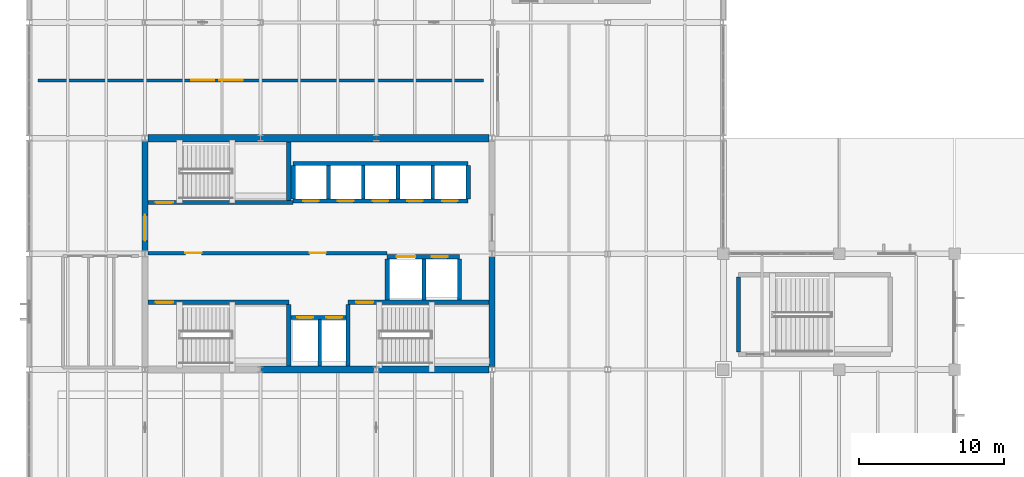
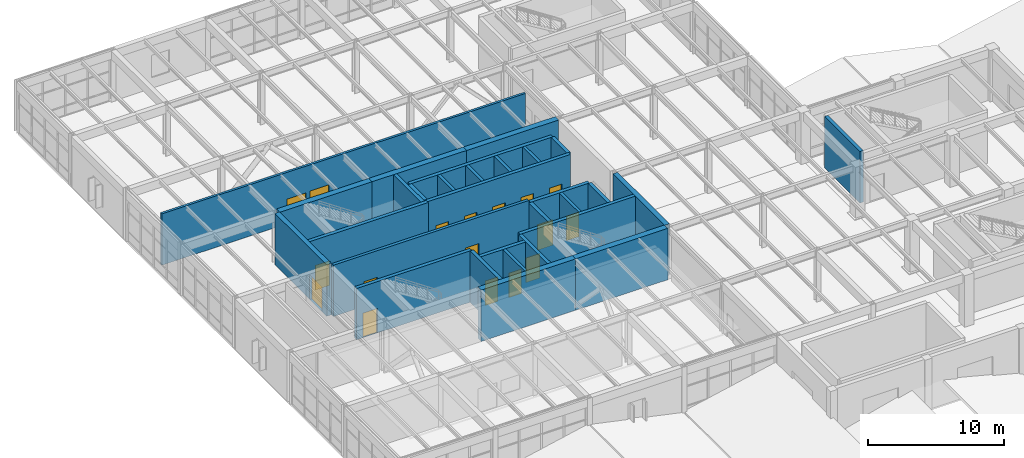
# One storey, part 43 of 60: 30 walls, 16 doors, 1 window, 17 openings.
"""IFC4 building model written with IfcOpenShell, lengths in metres."""

from ifc_helpers import new_model, si_unit, direction, frame, frame_2d, origin, place, context, subcontext, project, spatial, rectangle, extrude, material, layer, layer_set, type_object, element, fill, save


model = new_model("IFC4")

# Units and contexts
model_context = context("Model", 3, precision=1e-05, world=origin(), true_north=direction((0.0, 1.0)))
body_context = subcontext(model_context, "Body", "Model", "MODEL_VIEW")
ifc_project = project(units=[si_unit("LENGTHUNIT", "METRE"), si_unit("AREAUNIT", "SQUARE_METRE"), si_unit("VOLUMEUNIT", "CUBIC_METRE"), si_unit("PLANEANGLEUNIT", "RADIAN"), si_unit("MASSUNIT", "GRAM", prefix="KILO")], contexts=[model_context])

# Site, building, storey
site_placement = place(None, origin())
site = spatial("IfcSite", under=ifc_project, at=site_placement, CompositionType="ELEMENT")
building_placement = place(site_placement, origin())
building = spatial("IfcBuilding", under=site, at=building_placement, Name="Varnela Railside Interchange", CompositionType="ELEMENT")
storey_placement = place(building_placement, frame((0.0, 0.0, 6.300048828125)))
storey = spatial("IfcBuildingStorey", under=building, at=storey_placement, Name="L01", CompositionType="ELEMENT", Elevation=6.300048828125)

# Wall, opening, door
ifc_material_1 = material(Name="Concrete C50", Category="concrete")
ifc_layer_1 = layer(ifc_material_1, 0.39990234375)
ifc_layer_set_1 = layer_set([ifc_layer_1], Name="Concrete C50")
wall_type_1 = type_object("IfcWallType", Name="Core Coupling Shear Wall SW-02", PredefinedType="SHEAR", material=ifc_layer_set_1)
wall_1_placement = place(storey_placement, frame((12.0, 62.199462890625, 0.0), z_axis=(0.0, 0.0, 1.0), x_axis=(0.0, 1.0, 0.0)))
wall_1 = element("IfcWall", 1, at=wall_1_placement, inside=storey, type_object=wall_type_1, Name="Core Coupling Shear Wall SW-02 (L01) (WL-0511)", PredefinedType="SHEAR", context=body_context, shape_type="SweptSolid", body=[
    extrude(rectangle(XDim=7.60107421875, YDim=0.39990234375, at=frame_2d((3.800537109375, 0.0))), origin(), (0.0, 0.0, 1.0), 4.599853515625),
])
opening_1_placement = place(wall_1_placement, frame((0.699951171875, 0.0, 0.0)))
opening_1 = element("IfcOpeningElement", 2, at=opening_1_placement, cuts=wall_1, Name="Opening D-185", PredefinedType="OPENING", context=body_context, shape_type="SweptSolid", body=[
    extrude(rectangle(XDim=1.800048828125, YDim=2.199951171875, at=frame_2d((0.89990234375, 1.10009765625))), frame((0.0, 0.2099609375, 0.0), z_axis=(0.0, -1.0, 0.0), x_axis=(1.0, 0.0, 0.0)), (0.0, 0.0, 1.0), 0.419921875),
])
ifc_material_2 = material(Name="Steel AR 350 (350 MPa)", Category="steel")
door_type_1 = type_object("IfcDoorType", Name="DR-DBL-1800-FD60", OperationType="DOUBLE_DOOR_SINGLE_SWING", PredefinedType="DOOR", material=ifc_material_2)
door_1_placement = place(opening_1_placement, frame((1.800048828125, 0.0, 0.0), z_axis=(0.0, 0.0, 1.0), x_axis=(-1.0, 0.0, 0.0)))
door_1 = element("IfcDoor", 3, at=door_1_placement, inside=storey, type_object=door_type_1, Name="Door D-185", OperationType="DOUBLE_DOOR_SINGLE_SWING", OverallHeight=2.199951171875, OverallWidth=1.800048828125, PredefinedType="DOOR", context=body_context, shape_type="SweptSolid", body=[
    extrude(rectangle(XDim=1.800048828125, YDim=2.199951171875, at=frame_2d((0.89990234375, 1.10009765625))), frame((0.0, 0.02490234375, 0.0), z_axis=(0.0, -1.0, 0.0), x_axis=(1.0, 0.0, 0.0)), (0.0, 0.0, 1.0), 0.050048828125),
])
fill(opening_1, door_1)

# Walls
wall_2_placement = place(storey_placement, frame((36.0, 54.199462890625, 0.0), z_axis=(0.0, 0.0, 1.0), x_axis=(0.0, 1.0, 0.0)))
element("IfcWall", 4, at=wall_2_placement, inside=storey, type_object=wall_type_1, Name="Core Coupling Shear Wall SW-02 (L01) (WL-0481)", PredefinedType="SHEAR", context=body_context, shape_type="SweptSolid", body=[
    extrude(rectangle(XDim=7.60107421875, YDim=0.39990234375, at=frame_2d((3.800537109375, 0.0))), origin(), (0.0, 0.0, 1.0), 4.599853515625),
])
ifc_layer_2 = layer(ifc_material_1, 0.5)
ifc_layer_set_2 = layer_set([ifc_layer_2], Name="Concrete C50")
wall_type_2 = type_object("IfcWallType", Name="Core Primary Shear Wall SW-01", PredefinedType="SHEAR", material=ifc_layer_set_2)
wall_3_placement = place(storey_placement, frame((20.0, 54.0, 0.0), z_axis=(0.0, 0.0, 1.0), x_axis=(1.0, 0.0, 0.0)))
element("IfcWall", 5, at=wall_3_placement, inside=storey, type_object=wall_type_2, Name="Core Primary Shear Wall SW-01 (L01) (WL-0502)", PredefinedType="SHEAR", context=body_context, shape_type="SweptSolid", body=[
    extrude(rectangle(XDim=8.0, YDim=0.5, at=frame_2d((4.0, 0.0))), origin(), (0.0, 0.0, 1.0), 4.599853515625),
])
for number, where, z_axis, x_axis, name in (
    (6, (28.0, 54.0, 0.0), (0.0, 0.0, 1.0), (1.0, 0.0, 0.0), "Core Primary Shear Wall SW-01 (L01) (WL-0503)"),
    (7, (12.200439453125, 70.0, 0.0), (0.0, 0.0, 1.0), (1.0, 0.0, 0.0), "Core Primary Shear Wall SW-01 (L01) (WL-0498)"),
):
    element("IfcWall", number, at=place(storey_placement, frame(where, z_axis=z_axis, x_axis=x_axis)), inside=storey, type_object=wall_type_2, Name=name, PredefinedType="SHEAR", context=body_context, shape_type="SweptSolid", body=[
        extrude(rectangle(XDim=7.799560546875, YDim=0.5, at=frame_2d((3.89990234375, 0.0))), origin(), (0.0, 0.0, 1.0), 4.599853515625),
    ])
wall_4_placement = place(storey_placement, frame((20.0, 70.0, 0.0), z_axis=(0.0, 0.0, 1.0), x_axis=(1.0, 0.0, 0.0)))
element("IfcWall", 8, at=wall_4_placement, inside=storey, type_object=wall_type_2, Name="Core Primary Shear Wall SW-01 (L01) (WL-0499)", PredefinedType="SHEAR", context=body_context, shape_type="SweptSolid", body=[
    extrude(rectangle(XDim=8.0, YDim=0.5, at=frame_2d((4.0, 0.0))), origin(), (0.0, 0.0, 1.0), 4.599853515625),
])
wall_5_placement = place(storey_placement, frame((28.0, 70.0, 0.0), z_axis=(0.0, 0.0, 1.0), x_axis=(1.0, 0.0, 0.0)))
element("IfcWall", 9, at=wall_5_placement, inside=storey, type_object=wall_type_2, Name="Core Primary Shear Wall SW-01 (L01) (WL-0500)", PredefinedType="SHEAR", context=body_context, shape_type="SweptSolid", body=[
    extrude(rectangle(XDim=7.799560546875, YDim=0.5, at=frame_2d((3.89990234375, 0.0))), origin(), (0.0, 0.0, 1.0), 4.599853515625),
])

# Wall, openings, door, window
ifc_material_3 = material(Name="Gypsum acoustic board")
ifc_layer_3 = layer(ifc_material_3, 0.179931640625)
ifc_layer_set_3 = layer_set([ifc_layer_3], Name="Gypsum acoustic board")
wall_type_3 = type_object("IfcWallType", Name="Double-Stud Corridor Wall IW-02", PredefinedType="PARTITIONING", material=ifc_layer_set_3)
wall_6_placement = place(storey_placement, frame((4.60009765625, 74.0, 0.0), z_axis=(0.0, 0.0, 1.0), x_axis=(1.0, 0.0, 0.0)))
wall_6 = element("IfcWall", 10, at=wall_6_placement, inside=storey, type_object=wall_type_3, Name="Double-Stud Corridor Wall IW-02 (L01) (WL-0563)", PredefinedType="PARTITIONING", context=body_context, shape_type="SweptSolid", body=[
    extrude(rectangle(XDim=30.7998046875, YDim=0.199951171875, at=frame_2d((15.39990234375, 0.0))), origin(), (0.0, 0.0, 1.0), 4.599853515625),
])
opening_2_placement = place(wall_6_placement, frame((10.60009765625, 0.0, 0.0)))
opening_2 = element("IfcOpeningElement", 11, at=opening_2_placement, cuts=wall_6, Name="Opening D-206", PredefinedType="OPENING", context=body_context, shape_type="SweptSolid", body=[
    extrude(rectangle(XDim=1.60009765625, YDim=2.199951171875, at=frame_2d((0.800048828125, 1.10009765625))), frame((0.0, 0.10986328125, 0.0), z_axis=(0.0, -1.0, 0.0), x_axis=(1.0, 0.0, 0.0)), (0.0, 0.0, 1.0), 0.219970703125),
])
opening_3_placement = place(wall_6_placement, frame((12.550048828125, 0.0, 0.949951171875)))
opening_3 = element("IfcOpeningElement", 12, at=opening_3_placement, cuts=wall_6, Name="Opening IW-009", PredefinedType="OPENING", context=body_context, shape_type="SweptSolid", body=[
    extrude(rectangle(XDim=1.60009765625, YDim=1.300048828125, at=frame_2d((0.800048828125, 0.64990234375))), frame((0.0, 0.10986328125, 0.0), z_axis=(0.0, -1.0, 0.0), x_axis=(1.0, 0.0, 0.0)), (0.0, 0.0, 1.0), 0.219970703125),
])
ifc_material_4 = material(Name="Glass laminated double", Category="glass")
door_type_2 = type_object("IfcDoorType", Name="DR-DBL-1600", OperationType="DOUBLE_DOOR_SINGLE_SWING", PredefinedType="DOOR", material=ifc_material_4)
door_2_placement = place(opening_2_placement, origin())
door_2 = element("IfcDoor", 13, at=door_2_placement, inside=storey, type_object=door_type_2, Name="Door D-206", OperationType="DOUBLE_DOOR_SINGLE_SWING", OverallHeight=2.199951171875, OverallWidth=1.60009765625, PredefinedType="DOOR", context=body_context, shape_type="SweptSolid", body=[
    extrude(rectangle(XDim=1.60009765625, YDim=2.199951171875, at=frame_2d((0.800048828125, 1.10009765625))), frame((0.0, 0.02490234375, 0.0), z_axis=(0.0, -1.0, 0.0), x_axis=(1.0, 0.0, 0.0)), (0.0, 0.0, 1.0), 0.050048828125),
])
fill(opening_2, door_2)
window_type = type_object("IfcWindowType", Name="Interior Acoustic Vision Window IW-WN1", PartitioningType="SINGLE_PANEL", PredefinedType="WINDOW", material=ifc_material_4)
window_placement = place(opening_3_placement, origin())
window = element("IfcWindow", 14, at=window_placement, inside=storey, type_object=window_type, Name="Window IW-009", OverallHeight=1.300048828125, OverallWidth=1.60009765625, PartitioningType="SINGLE_PANEL", PredefinedType="WINDOW", context=body_context, shape_type="SweptSolid", body=[
    extrude(rectangle(XDim=1.60009765625, YDim=1.300048828125, at=frame_2d((0.800048828125, 0.64990234375))), frame((0.0, 0.030029296875, 0.0), z_axis=(0.0, -1.0, 0.0), x_axis=(1.0, 0.0, 0.0)), (0.0, 0.0, 1.0), 0.06005859375),
])
fill(opening_3, window)

# Wall, opening, door
ifc_layer_4 = layer(ifc_material_1, 0.300048828125)
ifc_layer_set_4 = layer_set([ifc_layer_4], Name="Concrete C50")
wall_type_4 = type_object("IfcWallType", Name="Stair & Lift Shaft Wall SW-03", PredefinedType="SHEAR", material=ifc_layer_set_4)
wall_7_placement = place(storey_placement, frame((12.199951171875, 58.64990234375, 0.0), z_axis=(0.0, 0.0, 1.0), x_axis=(1.0, 0.0, 0.0)))
wall_7 = element("IfcWall", 15, at=wall_7_placement, inside=storey, type_object=wall_type_4, Name="Stair & Lift Shaft Wall SW-03 (L01) (WL-0505)", PredefinedType="SHEAR", context=body_context, shape_type="SweptSolid", body=[
    extrude(rectangle(XDim=9.75, YDim=0.300048828125, at=frame_2d((4.875, 0.0))), origin(), (0.0, 0.0, 1.0), 4.599853515625),
])
opening_4_placement = place(wall_7_placement, frame((0.550048828125, 0.0, 0.0)))
opening_4 = element("IfcOpeningElement", 16, at=opening_4_placement, cuts=wall_7, Name="Opening D-180", PredefinedType="OPENING", context=body_context, shape_type="SweptSolid", body=[
    extrude(rectangle(XDim=1.199951171875, YDim=2.199951171875, at=frame_2d((0.60009765625, 1.10009765625))), frame((0.0, 0.159912109375, 0.0), z_axis=(0.0, -1.0, 0.0), x_axis=(1.0, 0.0, 0.0)), (0.0, 0.0, 1.0), 0.320068359375),
])
door_type_3 = type_object("IfcDoorType", Name="DR-SGL-1200-FD90", OperationType="NOTDEFINED", PredefinedType="DOOR", material=ifc_material_2)
door_3_placement = place(opening_4_placement, frame((1.199951171875, 0.0, 0.0), z_axis=(0.0, 0.0, 1.0), x_axis=(-1.0, 0.0, 0.0)))
door_3 = element("IfcDoor", 17, at=door_3_placement, inside=storey, type_object=door_type_3, Name="Door D-180", OperationType="SINGLE_SWING_RIGHT", OverallHeight=2.199951171875, OverallWidth=1.199951171875, PredefinedType="DOOR", context=body_context, shape_type="SweptSolid", body=[
    extrude(rectangle(XDim=1.199951171875, YDim=2.199951171875, at=frame_2d((0.60009765625, 1.10009765625))), frame((0.0, 0.02490234375, 0.0), z_axis=(0.0, -1.0, 0.0), x_axis=(1.0, 0.0, 0.0)), (0.0, 0.0, 1.0), 0.050048828125),
])
fill(opening_4, door_3)

# Wall
wall_8_placement = place(storey_placement, frame((21.949951171875, 54.25, 0.0), z_axis=(0.0, 0.0, 1.0), x_axis=(0.0, 1.0, 0.0)))
element("IfcWall", 18, at=wall_8_placement, inside=storey, type_object=wall_type_4, Name="Stair & Lift Shaft Wall SW-03 (L01) (WL-0504)", PredefinedType="SHEAR", context=body_context, shape_type="SweptSolid", body=[
    extrude(rectangle(XDim=4.25, YDim=0.300048828125, at=frame_2d((2.125, 0.0))), origin(), (0.0, 0.0, 1.0), 4.599853515625),
])

# Wall, opening, door
wall_9_placement = place(storey_placement, frame((26.050048828125, 58.64990234375, 0.0), z_axis=(0.0, 0.0, 1.0), x_axis=(1.0, 0.0, 0.0)))
wall_9 = element("IfcWall", 19, at=wall_9_placement, inside=storey, type_object=wall_type_4, Name="Stair & Lift Shaft Wall SW-03 (L01) (WL-0506)", PredefinedType="SHEAR", context=body_context, shape_type="SweptSolid", body=[
    extrude(rectangle(XDim=9.75, YDim=0.300048828125, at=frame_2d((4.875, 0.0))), origin(), (0.0, 0.0, 1.0), 4.599853515625),
])
opening_5_placement = place(wall_9_placement, frame((0.550048828125, 0.0, 0.0)))
opening_5 = element("IfcOpeningElement", 20, at=opening_5_placement, cuts=wall_9, Name="Opening D-181", PredefinedType="OPENING", context=body_context, shape_type="SweptSolid", body=[
    extrude(rectangle(XDim=1.199951171875, YDim=2.199951171875, at=frame_2d((0.60009765625, 1.10009765625))), frame((0.0, 0.159912109375, 0.0), z_axis=(0.0, -1.0, 0.0), x_axis=(1.0, 0.0, 0.0)), (0.0, 0.0, 1.0), 0.320068359375),
])
door_4_placement = place(opening_5_placement, frame((1.199951171875, 0.0, 0.0), z_axis=(0.0, 0.0, 1.0), x_axis=(-1.0, 0.0, 0.0)))
door_4 = element("IfcDoor", 21, at=door_4_placement, inside=storey, type_object=door_type_3, Name="Door D-181", OperationType="SINGLE_SWING_LEFT", OverallHeight=2.199951171875, OverallWidth=1.199951171875, PredefinedType="DOOR", context=body_context, shape_type="SweptSolid", body=[
    extrude(rectangle(XDim=1.199951171875, YDim=2.199951171875, at=frame_2d((0.60009765625, 1.10009765625))), frame((0.0, 0.02490234375, 0.0), z_axis=(0.0, -1.0, 0.0), x_axis=(1.0, 0.0, 0.0)), (0.0, 0.0, 1.0), 0.050048828125),
])
fill(opening_5, door_4)

# Wall
wall_10_placement = place(storey_placement, frame((26.050048828125, 54.25, 0.0), z_axis=(0.0, 0.0, 1.0), x_axis=(0.0, 1.0, 0.0)))
element("IfcWall", 22, at=wall_10_placement, inside=storey, type_object=wall_type_4, Name="Stair & Lift Shaft Wall SW-03 (L01) (WL-0507)", PredefinedType="SHEAR", context=body_context, shape_type="SweptSolid", body=[
    extrude(rectangle(XDim=4.25, YDim=0.300048828125, at=frame_2d((2.125, 0.0))), origin(), (0.0, 0.0, 1.0), 4.599853515625),
])

# Wall, openings, doors
wall_11_placement = place(storey_placement, frame((22.10009765625, 57.60009765625, 0.0), z_axis=(0.0, 0.0, 1.0), x_axis=(1.0, 0.0, 0.0)))
wall_11 = element("IfcWall", 23, at=wall_11_placement, inside=storey, type_object=wall_type_4, Name="Stair & Lift Shaft Wall SW-03 (L01) (WL-0485)", PredefinedType="SHEAR", context=body_context, shape_type="SweptSolid", body=[
    extrude(rectangle(XDim=3.949951171875, YDim=0.300048828125, at=frame_2d((1.97509765625, 0.0))), origin(), (0.0, 0.0, 1.0), 4.599853515625),
])
opening_6_placement = place(wall_11_placement, frame((0.449951171875, 0.0, 0.0)))
opening_6 = element("IfcOpeningElement", 24, at=opening_6_placement, cuts=wall_11, Name="Opening LD-031", PredefinedType="OPENING", context=body_context, shape_type="SweptSolid", body=[
    extrude(rectangle(XDim=1.080078125, YDim=2.199951171875, at=frame_2d((0.5400390625, 1.10009765625))), frame((0.0, 0.159912109375, 0.0), z_axis=(0.0, -1.0, 0.0), x_axis=(1.0, 0.0, 0.0)), (0.0, 0.0, 1.0), 0.320068359375),
])
opening_7_placement = place(wall_11_placement, frame((2.449951171875, 0.0, 0.0)))
opening_7 = element("IfcOpeningElement", 25, at=opening_7_placement, cuts=wall_11, Name="Opening LD-032", PredefinedType="OPENING", context=body_context, shape_type="SweptSolid", body=[
    extrude(rectangle(XDim=1.080078125, YDim=2.199951171875, at=frame_2d((0.5400390625, 1.10009765625))), frame((0.0, 0.159912109375, 0.0), z_axis=(0.0, -1.0, 0.0), x_axis=(1.0, 0.0, 0.0)), (0.0, 0.0, 1.0), 0.320068359375),
])
door_type_4 = type_object("IfcDoorType", Name="DR-LIFT-1080", OperationType="SLIDING_TO_LEFT", PredefinedType="DOOR", material=ifc_material_2)
door_5_placement = place(opening_6_placement, origin())
door_5 = element("IfcDoor", 26, at=door_5_placement, inside=storey, type_object=door_type_4, Name="Door LD-031", OperationType="SLIDING_TO_LEFT", OverallHeight=2.199951171875, OverallWidth=1.080078125, PredefinedType="DOOR", context=body_context, shape_type="SweptSolid", body=[
    extrude(rectangle(XDim=1.080078125, YDim=2.199951171875, at=frame_2d((0.5400390625, 1.10009765625))), frame((0.0, 0.02490234375, 0.0), z_axis=(0.0, -1.0, 0.0), x_axis=(1.0, 0.0, 0.0)), (0.0, 0.0, 1.0), 0.050048828125),
])
fill(opening_6, door_5)
door_6_placement = place(opening_7_placement, origin())
door_6 = element("IfcDoor", 27, at=door_6_placement, inside=storey, type_object=door_type_4, Name="Door LD-032", OperationType="SLIDING_TO_LEFT", OverallHeight=2.199951171875, OverallWidth=1.080078125, PredefinedType="DOOR", context=body_context, shape_type="SweptSolid", body=[
    extrude(rectangle(XDim=1.080078125, YDim=2.199951171875, at=frame_2d((0.5400390625, 1.10009765625))), frame((0.0, 0.02490234375, 0.0), z_axis=(0.0, -1.0, 0.0), x_axis=(1.0, 0.0, 0.0)), (0.0, 0.0, 1.0), 0.050048828125),
])
fill(opening_7, door_6)

# Wall
wall_12_placement = place(storey_placement, frame((24.10009765625, 54.25, 0.0), z_axis=(0.0, 0.0, 1.0), x_axis=(0.0, 1.0, 0.0)))
element("IfcWall", 28, at=wall_12_placement, inside=storey, type_object=wall_type_4, Name="Stair & Lift Shaft Wall SW-03 (L01) (WL-0484)", PredefinedType="SHEAR", context=body_context, shape_type="SweptSolid", body=[
    extrude(rectangle(XDim=3.199951171875, YDim=0.25, at=frame_2d((1.60009765625, 0.0))), origin(), (0.0, 0.0, 1.0), 4.599853515625),
])

# Wall, openings, doors
wall_13_placement = place(storey_placement, frame((28.75, 61.800048828125, 0.0), z_axis=(0.0, 0.0, 1.0), x_axis=(1.0, 0.0, 0.0)))
wall_13 = element("IfcWall", 29, at=wall_13_placement, inside=storey, type_object=wall_type_4, Name="Stair & Lift Shaft Wall SW-03 (L01) (WL-0488)", PredefinedType="SHEAR", context=body_context, shape_type="SweptSolid", body=[
    extrude(rectangle(XDim=5.0, YDim=0.300048828125, at=frame_2d((2.5, 0.0))), origin(), (0.0, 0.0, 1.0), 4.599853515625),
])
opening_8_placement = place(wall_13_placement, frame((0.64990234375, 0.0, 0.0)))
opening_8 = element("IfcOpeningElement", 30, at=opening_8_placement, cuts=wall_13, Name="Opening LD-033", PredefinedType="OPENING", context=body_context, shape_type="SweptSolid", body=[
    extrude(rectangle(XDim=1.300048828125, YDim=2.300048828125, at=frame_2d((0.64990234375, 1.14990234375))), frame((0.0, 0.159912109375, 0.0), z_axis=(0.0, -1.0, 0.0), x_axis=(1.0, 0.0, 0.0)), (0.0, 0.0, 1.0), 0.320068359375),
])
opening_9_placement = place(wall_13_placement, frame((3.10009765625, 0.0, 0.0)))
opening_9 = element("IfcOpeningElement", 31, at=opening_9_placement, cuts=wall_13, Name="Opening LD-034", PredefinedType="OPENING", context=body_context, shape_type="SweptSolid", body=[
    extrude(rectangle(XDim=1.080078125, YDim=2.199951171875, at=frame_2d((0.5400390625, 1.10009765625))), frame((0.0, 0.159912109375, 0.0), z_axis=(0.0, -1.0, 0.0), x_axis=(1.0, 0.0, 0.0)), (0.0, 0.0, 1.0), 0.320068359375),
])
door_7_placement = place(opening_9_placement, origin())
door_7 = element("IfcDoor", 32, at=door_7_placement, inside=storey, type_object=door_type_4, Name="Door LD-034", OperationType="SLIDING_TO_LEFT", OverallHeight=2.199951171875, OverallWidth=1.080078125, PredefinedType="DOOR", context=body_context, shape_type="SweptSolid", body=[
    extrude(rectangle(XDim=1.080078125, YDim=2.199951171875, at=frame_2d((0.5400390625, 1.10009765625))), frame((0.0, 0.02490234375, 0.0), z_axis=(0.0, -1.0, 0.0), x_axis=(1.0, 0.0, 0.0)), (0.0, 0.0, 1.0), 0.050048828125),
])
fill(opening_9, door_7)
door_type_5 = type_object("IfcDoorType", Name="DR-LIFT-1300", OperationType="SLIDING_TO_LEFT", PredefinedType="DOOR", material=ifc_material_2)
door_8_placement = place(opening_8_placement, origin())
door_8 = element("IfcDoor", 33, at=door_8_placement, inside=storey, type_object=door_type_5, Name="Door LD-033", OperationType="SLIDING_TO_LEFT", OverallHeight=2.300048828125, OverallWidth=1.300048828125, PredefinedType="DOOR", context=body_context, shape_type="SweptSolid", body=[
    extrude(rectangle(XDim=1.300048828125, YDim=2.300048828125, at=frame_2d((0.64990234375, 1.14990234375))), frame((0.0, 0.02490234375, 0.0), z_axis=(0.0, -1.0, 0.0), x_axis=(1.0, 0.0, 0.0)), (0.0, 0.0, 1.0), 0.050048828125),
])
fill(opening_8, door_8)

# Walls
for number, where, z_axis, x_axis, name in (
    (34, (28.75, 58.800048828125, 0.0), (0.0, 0.0, 1.0), (0.0, 1.0, 0.0), "Stair & Lift Shaft Wall SW-03 (L01) (WL-0489)"),
    (35, (33.75, 58.800048828125, 0.0), (0.0, 0.0, 1.0), (0.0, 1.0, 0.0), "Stair & Lift Shaft Wall SW-03 (L01) (WL-0487)"),
):
    element("IfcWall", number, at=place(storey_placement, frame(where, z_axis=z_axis, x_axis=x_axis)), inside=storey, type_object=wall_type_4, Name=name, PredefinedType="SHEAR", context=body_context, shape_type="SweptSolid", body=[
        extrude(rectangle(XDim=2.849853515625, YDim=0.300048828125, at=frame_2d((1.4248046875, 0.0))), origin(), (0.0, 0.0, 1.0), 4.599853515625),
    ])
wall_14_placement = place(storey_placement, frame((31.300048828125, 58.800048828125, 0.0), z_axis=(0.0, 0.0, 1.0), x_axis=(0.0, 1.0, 0.0)))
element("IfcWall", 36, at=wall_14_placement, inside=storey, type_object=wall_type_4, Name="Stair & Lift Shaft Wall SW-03 (L01) (WL-0486)", PredefinedType="SHEAR", context=body_context, shape_type="SweptSolid", body=[
    extrude(rectangle(XDim=2.849853515625, YDim=0.25, at=frame_2d((1.4248046875, 0.0))), origin(), (0.0, 0.0, 1.0), 4.599853515625),
])

# Wall, openings, doors
wall_15_placement = place(storey_placement, frame((12.199951171875, 62.050048828125, 0.0), z_axis=(0.0, 0.0, 1.0), x_axis=(1.0, 0.0, 0.0)))
wall_15 = element("IfcWall", 37, at=wall_15_placement, inside=storey, type_object=wall_type_4, Name="Stair & Lift Shaft Wall SW-03 (L01) (WL-0483)", PredefinedType="SHEAR", context=body_context, shape_type="SweptSolid", body=[
    extrude(rectangle(XDim=16.550048828125, YDim=0.25, at=frame_2d((8.27490234375, 0.0))), origin(), (0.0, 0.0, 1.0), 4.599853515625),
])
opening_10_placement = place(wall_15_placement, frame((2.60009765625, 0.0, 0.0)))
opening_10 = element("IfcOpeningElement", 38, at=opening_10_placement, cuts=wall_15, Name="Opening D-183", PredefinedType="OPENING", context=body_context, shape_type="SweptSolid", body=[
    extrude(rectangle(XDim=1.1201171875, YDim=2.219970703125, at=frame_2d((0.56005859375, 1.10986328125))), frame((0.0, 0.135009765625, 0.0), z_axis=(0.0, -1.0, 0.0), x_axis=(1.0, 0.0, 0.0)), (0.0, 0.0, 1.0), 0.27001953125),
])
opening_11_placement = place(wall_15_placement, frame((11.199951171875, 0.0, 0.0)))
opening_11 = element("IfcOpeningElement", 39, at=opening_11_placement, cuts=wall_15, Name="Opening D-184", PredefinedType="OPENING", context=body_context, shape_type="SweptSolid", body=[
    extrude(rectangle(XDim=1.1201171875, YDim=2.219970703125, at=frame_2d((0.56005859375, 1.10986328125))), frame((0.0, 0.135009765625, 0.0), z_axis=(0.0, -1.0, 0.0), x_axis=(1.0, 0.0, 0.0)), (0.0, 0.0, 1.0), 0.27001953125),
])
door_type_6 = type_object("IfcDoorType", Name="DR-SGL-1120-FD90", OperationType="NOTDEFINED", PredefinedType="DOOR", material=ifc_material_2)
door_9_placement = place(opening_10_placement, frame((1.1201171875, 0.0, 0.0), z_axis=(0.0, 0.0, 1.0), x_axis=(-1.0, 0.0, 0.0)))
door_9 = element("IfcDoor", 40, at=door_9_placement, inside=storey, type_object=door_type_6, Name="Door D-183", OperationType="SINGLE_SWING_LEFT", OverallHeight=2.219970703125, OverallWidth=1.1201171875, PredefinedType="DOOR", context=body_context, shape_type="SweptSolid", body=[
    extrude(rectangle(XDim=1.1201171875, YDim=2.219970703125, at=frame_2d((0.56005859375, 1.10986328125))), frame((0.0, 0.02490234375, 0.0), z_axis=(0.0, -1.0, 0.0), x_axis=(1.0, 0.0, 0.0)), (0.0, 0.0, 1.0), 0.050048828125),
])
fill(opening_10, door_9)
door_10_placement = place(opening_11_placement, frame((1.1201171875, 0.0, 0.0), z_axis=(0.0, 0.0, 1.0), x_axis=(-1.0, 0.0, 0.0)))
door_10 = element("IfcDoor", 41, at=door_10_placement, inside=storey, type_object=door_type_6, Name="Door D-184", OperationType="SINGLE_SWING_RIGHT", OverallHeight=2.219970703125, OverallWidth=1.1201171875, PredefinedType="DOOR", context=body_context, shape_type="SweptSolid", body=[
    extrude(rectangle(XDim=1.1201171875, YDim=2.219970703125, at=frame_2d((0.56005859375, 1.10986328125))), frame((0.0, 0.02490234375, 0.0), z_axis=(0.0, -1.0, 0.0), x_axis=(1.0, 0.0, 0.0)), (0.0, 0.0, 1.0), 0.050048828125),
])
fill(opening_11, door_10)

# Wall, opening, door
wall_16_placement = place(storey_placement, frame((12.199951171875, 65.550048828125, 0.0), z_axis=(0.0, 0.0, 1.0), x_axis=(1.0, 0.0, 0.0)))
wall_16 = element("IfcWall", 42, at=wall_16_placement, inside=storey, type_object=wall_type_4, Name="Stair & Lift Shaft Wall SW-03 (L01) (WL-0509)", PredefinedType="SHEAR", context=body_context, shape_type="SweptSolid", body=[
    extrude(rectangle(XDim=10.050048828125, YDim=0.300048828125, at=frame_2d((5.02490234375, 0.0))), origin(), (0.0, 0.0, 1.0), 4.599853515625),
])
opening_12_placement = place(wall_16_placement, frame((0.550048828125, 0.0, 0.0)))
opening_12 = element("IfcOpeningElement", 43, at=opening_12_placement, cuts=wall_16, Name="Opening D-182", PredefinedType="OPENING", context=body_context, shape_type="SweptSolid", body=[
    extrude(rectangle(XDim=1.199951171875, YDim=2.199951171875, at=frame_2d((0.60009765625, 1.10009765625))), frame((0.0, 0.159912109375, 0.0), z_axis=(0.0, -1.0, 0.0), x_axis=(1.0, 0.0, 0.0)), (0.0, 0.0, 1.0), 0.320068359375),
])
door_11_placement = place(opening_12_placement, origin())
door_11 = element("IfcDoor", 44, at=door_11_placement, inside=storey, type_object=door_type_3, Name="Door D-182", OperationType="SINGLE_SWING_RIGHT", OverallHeight=2.199951171875, OverallWidth=1.199951171875, PredefinedType="DOOR", context=body_context, shape_type="SweptSolid", body=[
    extrude(rectangle(XDim=1.199951171875, YDim=2.199951171875, at=frame_2d((0.60009765625, 1.10009765625))), frame((0.0, 0.02490234375, 0.0), z_axis=(0.0, -1.0, 0.0), x_axis=(1.0, 0.0, 0.0)), (0.0, 0.0, 1.0), 0.050048828125),
])
fill(opening_12, door_11)

# Wall
wall_17_placement = place(storey_placement, frame((21.949951171875, 65.699951171875, 0.0), z_axis=(0.0, 0.0, 1.0), x_axis=(0.0, 1.0, 0.0)))
element("IfcWall", 45, at=wall_17_placement, inside=storey, type_object=wall_type_4, Name="Stair & Lift Shaft Wall SW-03 (L01) (WL-0508)", PredefinedType="SHEAR", context=body_context, shape_type="SweptSolid", body=[
    extrude(rectangle(XDim=4.050048828125, YDim=0.300048828125, at=frame_2d((2.02490234375, 0.0))), origin(), (0.0, 0.0, 1.0), 4.599853515625),
])

# Wall, openings, doors
wall_18_placement = place(storey_placement, frame((22.25, 65.64990234375, 0.0), z_axis=(0.0, 0.0, 1.0), x_axis=(1.0, 0.0, 0.0)))
wall_18 = element("IfcWall", 46, at=wall_18_placement, inside=storey, type_object=wall_type_4, Name="Stair & Lift Shaft Wall SW-03 (L01) (WL-0496)", PredefinedType="SHEAR", context=body_context, shape_type="SweptSolid", body=[
    extrude(rectangle(XDim=12.10009765625, YDim=0.300048828125, at=frame_2d((6.050048828125, 0.0))), origin(), (0.0, 0.0, 1.0), 4.599853515625),
])
opening_13_placement = place(wall_18_placement, frame((0.699951171875, 0.0, 0.0)))
opening_13 = element("IfcOpeningElement", 47, at=opening_13_placement, cuts=wall_18, Name="Opening LD-035", PredefinedType="OPENING", context=body_context, shape_type="SweptSolid", body=[
    extrude(rectangle(XDim=1.080078125, YDim=2.199951171875, at=frame_2d((0.5400390625, 1.10009765625))), frame((0.0, 0.159912109375, 0.0), z_axis=(0.0, -1.0, 0.0), x_axis=(1.0, 0.0, 0.0)), (0.0, 0.0, 1.0), 0.320068359375),
])
opening_14_placement = place(wall_18_placement, frame((3.10009765625, 0.0, 0.0)))
opening_14 = element("IfcOpeningElement", 48, at=opening_14_placement, cuts=wall_18, Name="Opening LD-036", PredefinedType="OPENING", context=body_context, shape_type="SweptSolid", body=[
    extrude(rectangle(XDim=1.080078125, YDim=2.199951171875, at=frame_2d((0.5400390625, 1.10009765625))), frame((0.0, 0.159912109375, 0.0), z_axis=(0.0, -1.0, 0.0), x_axis=(1.0, 0.0, 0.0)), (0.0, 0.0, 1.0), 0.320068359375),
])
opening_15_placement = place(wall_18_placement, frame((5.5, 0.0, 0.0)))
opening_15 = element("IfcOpeningElement", 49, at=opening_15_placement, cuts=wall_18, Name="Opening LD-037", PredefinedType="OPENING", context=body_context, shape_type="SweptSolid", body=[
    extrude(rectangle(XDim=1.080078125, YDim=2.199951171875, at=frame_2d((0.5400390625, 1.10009765625))), frame((0.0, 0.159912109375, 0.0), z_axis=(0.0, -1.0, 0.0), x_axis=(1.0, 0.0, 0.0)), (0.0, 0.0, 1.0), 0.320068359375),
])
opening_16_placement = place(wall_18_placement, frame((7.89990234375, 0.0, 0.0)))
opening_16 = element("IfcOpeningElement", 50, at=opening_16_placement, cuts=wall_18, Name="Opening LD-038", PredefinedType="OPENING", context=body_context, shape_type="SweptSolid", body=[
    extrude(rectangle(XDim=1.080078125, YDim=2.199951171875, at=frame_2d((0.5400390625, 1.10009765625))), frame((0.0, 0.159912109375, 0.0), z_axis=(0.0, -1.0, 0.0), x_axis=(1.0, 0.0, 0.0)), (0.0, 0.0, 1.0), 0.320068359375),
])
opening_17_placement = place(wall_18_placement, frame((10.300048828125, 0.0, 0.0)))
opening_17 = element("IfcOpeningElement", 51, at=opening_17_placement, cuts=wall_18, Name="Opening LD-039", PredefinedType="OPENING", context=body_context, shape_type="SweptSolid", body=[
    extrude(rectangle(XDim=1.080078125, YDim=2.199951171875, at=frame_2d((0.5400390625, 1.10009765625))), frame((0.0, 0.159912109375, 0.0), z_axis=(0.0, -1.0, 0.0), x_axis=(1.0, 0.0, 0.0)), (0.0, 0.0, 1.0), 0.320068359375),
])
door_12_placement = place(opening_13_placement, origin())
door_12 = element("IfcDoor", 52, at=door_12_placement, inside=storey, type_object=door_type_4, Name="Door LD-035", OperationType="SLIDING_TO_LEFT", OverallHeight=2.199951171875, OverallWidth=1.080078125, PredefinedType="DOOR", context=body_context, shape_type="SweptSolid", body=[
    extrude(rectangle(XDim=1.080078125, YDim=2.199951171875, at=frame_2d((0.5400390625, 1.10009765625))), frame((0.0, 0.02490234375, 0.0), z_axis=(0.0, -1.0, 0.0), x_axis=(1.0, 0.0, 0.0)), (0.0, 0.0, 1.0), 0.050048828125),
])
fill(opening_13, door_12)
door_13_placement = place(opening_14_placement, origin())
door_13 = element("IfcDoor", 53, at=door_13_placement, inside=storey, type_object=door_type_4, Name="Door LD-036", OperationType="SLIDING_TO_LEFT", OverallHeight=2.199951171875, OverallWidth=1.080078125, PredefinedType="DOOR", context=body_context, shape_type="SweptSolid", body=[
    extrude(rectangle(XDim=1.080078125, YDim=2.199951171875, at=frame_2d((0.5400390625, 1.10009765625))), frame((0.0, 0.02490234375, 0.0), z_axis=(0.0, -1.0, 0.0), x_axis=(1.0, 0.0, 0.0)), (0.0, 0.0, 1.0), 0.050048828125),
])
fill(opening_14, door_13)
door_14_placement = place(opening_15_placement, origin())
door_14 = element("IfcDoor", 54, at=door_14_placement, inside=storey, type_object=door_type_4, Name="Door LD-037", OperationType="SLIDING_TO_LEFT", OverallHeight=2.199951171875, OverallWidth=1.080078125, PredefinedType="DOOR", context=body_context, shape_type="SweptSolid", body=[
    extrude(rectangle(XDim=1.080078125, YDim=2.199951171875, at=frame_2d((0.5400390625, 1.10009765625))), frame((0.0, 0.02490234375, 0.0), z_axis=(0.0, -1.0, 0.0), x_axis=(1.0, 0.0, 0.0)), (0.0, 0.0, 1.0), 0.050048828125),
])
fill(opening_15, door_14)
door_15_placement = place(opening_16_placement, origin())
door_15 = element("IfcDoor", 55, at=door_15_placement, inside=storey, type_object=door_type_4, Name="Door LD-038", OperationType="SLIDING_TO_LEFT", OverallHeight=2.199951171875, OverallWidth=1.080078125, PredefinedType="DOOR", context=body_context, shape_type="SweptSolid", body=[
    extrude(rectangle(XDim=1.080078125, YDim=2.199951171875, at=frame_2d((0.5400390625, 1.10009765625))), frame((0.0, 0.02490234375, 0.0), z_axis=(0.0, -1.0, 0.0), x_axis=(1.0, 0.0, 0.0)), (0.0, 0.0, 1.0), 0.050048828125),
])
fill(opening_16, door_15)
door_16_placement = place(opening_17_placement, origin())
door_16 = element("IfcDoor", 56, at=door_16_placement, inside=storey, type_object=door_type_4, Name="Door LD-039", OperationType="SLIDING_TO_LEFT", OverallHeight=2.199951171875, OverallWidth=1.080078125, PredefinedType="DOOR", context=body_context, shape_type="SweptSolid", body=[
    extrude(rectangle(XDim=1.080078125, YDim=2.199951171875, at=frame_2d((0.5400390625, 1.10009765625))), frame((0.0, 0.02490234375, 0.0), z_axis=(0.0, -1.0, 0.0), x_axis=(1.0, 0.0, 0.0)), (0.0, 0.0, 1.0), 0.050048828125),
])
fill(opening_17, door_16)

# Walls
wall_19_placement = place(storey_placement, frame((22.25, 68.25, 0.0), z_axis=(0.0, 0.0, 1.0), x_axis=(1.0, 0.0, 0.0)))
element("IfcWall", 57, at=wall_19_placement, inside=storey, type_object=wall_type_4, Name="Stair & Lift Shaft Wall SW-03 (L01) (WL-0495)", PredefinedType="SHEAR", context=body_context, shape_type="SweptSolid", body=[
    extrude(rectangle(XDim=12.10009765625, YDim=0.300048828125, at=frame_2d((6.050048828125, 0.0))), origin(), (0.0, 0.0, 1.0), 4.599853515625),
])
for number, where, z_axis, x_axis, name in (
    (58, (22.25, 65.800048828125, 0.0), (0.0, 0.0, 1.0), (0.0, 1.0, 0.0), "Stair & Lift Shaft Wall SW-03 (L01) (WL-0497)"),
    (59, (34.35009765625, 65.800048828125, 0.0), (0.0, 0.0, 1.0), (0.0, 1.0, 0.0), "Stair & Lift Shaft Wall SW-03 (L01) (WL-0494)"),
):
    element("IfcWall", number, at=place(storey_placement, frame(where, z_axis=z_axis, x_axis=x_axis)), inside=storey, type_object=wall_type_4, Name=name, PredefinedType="SHEAR", context=body_context, shape_type="SweptSolid", body=[
        extrude(rectangle(XDim=2.300048828125, YDim=0.300048828125, at=frame_2d((1.14990234375, 0.0))), origin(), (0.0, 0.0, 1.0), 4.599853515625),
    ])
for number, where, z_axis, x_axis, name in (
    (60, (24.699951171875, 65.800048828125, 0.0), (0.0, 0.0, 1.0), (0.0, 1.0, 0.0), "Stair & Lift Shaft Wall SW-03 (L01) (WL-0490)"),
    (61, (27.10009765625, 65.800048828125, 0.0), (0.0, 0.0, 1.0), (0.0, 1.0, 0.0), "Stair & Lift Shaft Wall SW-03 (L01) (WL-0491)"),
    (62, (29.5, 65.800048828125, 0.0), (0.0, 0.0, 1.0), (0.0, 1.0, 0.0), "Stair & Lift Shaft Wall SW-03 (L01) (WL-0492)"),
    (63, (31.89990234375, 65.800048828125, 0.0), (0.0, 0.0, 1.0), (0.0, 1.0, 0.0), "Stair & Lift Shaft Wall SW-03 (L01) (WL-0493)"),
):
    element("IfcWall", number, at=place(storey_placement, frame(where, z_axis=z_axis, x_axis=x_axis)), inside=storey, type_object=wall_type_4, Name=name, PredefinedType="SHEAR", context=body_context, shape_type="SweptSolid", body=[
        extrude(rectangle(XDim=2.300048828125, YDim=0.25, at=frame_2d((1.14990234375, 0.0))), origin(), (0.0, 0.0, 1.0), 4.599853515625),
    ])
wall_20_placement = place(storey_placement, frame((53.050048828125, 55.199951171875, 0.0), z_axis=(0.0, 0.0, 1.0), x_axis=(0.0, 1.0, 0.0)))
element("IfcWall", 64, at=wall_20_placement, inside=storey, type_object=wall_type_4, Name="Stair & Lift Shaft Wall SW-03 (L01) (WL-0596)", PredefinedType="SHEAR", context=body_context, shape_type="SweptSolid", body=[
    extrude(rectangle(XDim=5.199951171875, YDim=0.300048828125, at=frame_2d((2.60009765625, 0.0))), origin(), (0.0, 0.0, 1.0), 4.599853515625),
])

save(model, "model.ifc")
